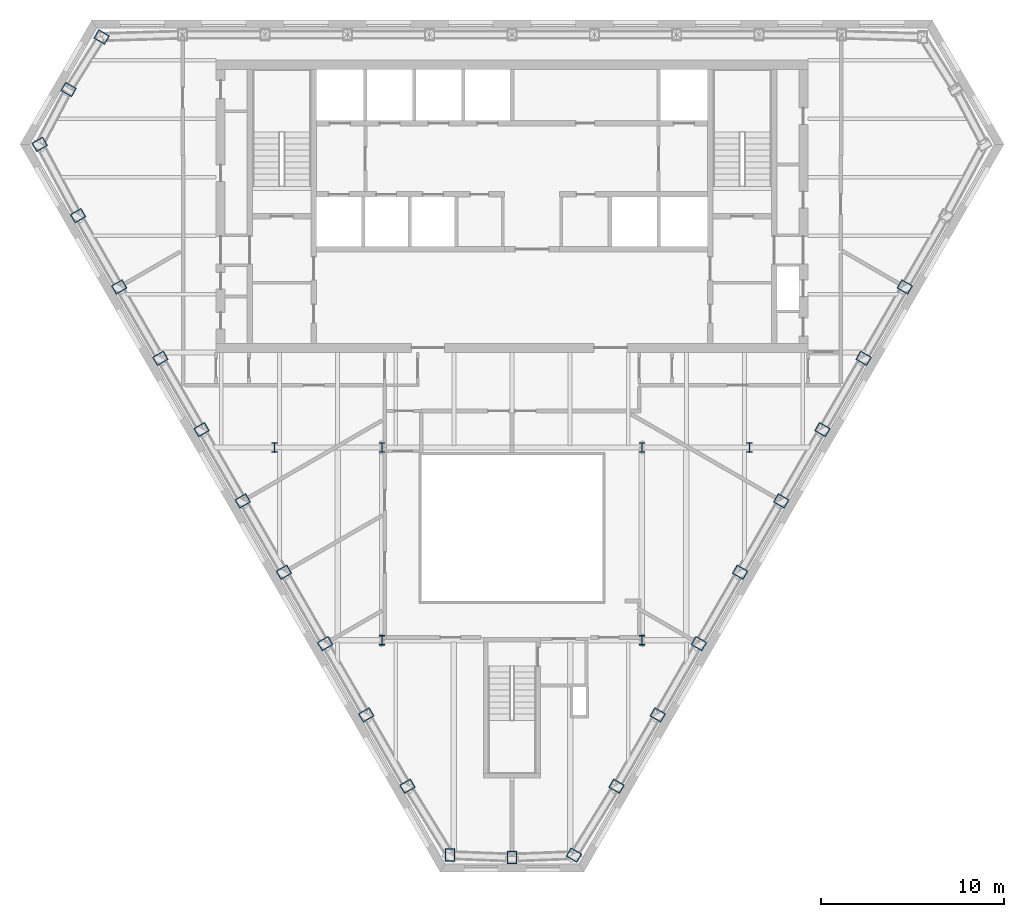
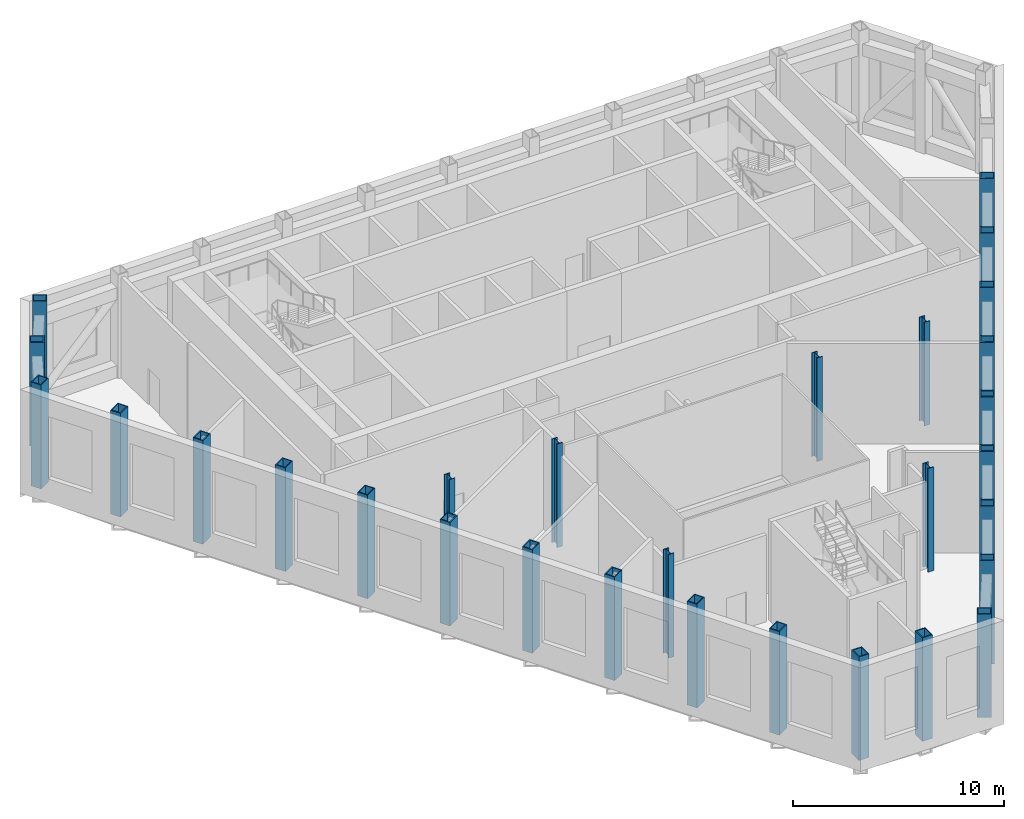
# One storey, part 1 of 13: 29 columns.
"""IFC4 building model written with IfcOpenShell, lengths in metres."""

import ifcopenshell
import ifcopenshell.guid

model = None  # the IFC model being written
_history = None  # IfcOwnerHistory: only IFC2X3 demands one
_inside = {}  # id of a spatial element -> (the spatial element, [elements in it])
_under = {}  # id of a project, library or spatial element -> (it, [spatial elements below it])
_declared = {}  # id of a project -> (the project, [libraries it declares])
_typed = {}  # id of a type object -> (the type object, [elements of that type])
_made_of = {}  # id of a material, layer set ... -> (it, [elements and type objects made of it])


def new_model(schema):
    """Start an empty IFC model of exactly this schema.

    Asked for "IFC4X3", IfcOpenShell would pick the latest addendum, in which some entities
    have other attributes; the version numbers below select the first issue.
    IFC2X3 requires an IfcOwnerHistory on every rooted entity: one is made here for all.
    """
    global model, _history
    if schema == "IFC4X3":
        model = ifcopenshell.file(schema_version=(4, 3, 0, 0))
    else:
        model = ifcopenshell.file(schema=schema)
    _inside.clear()
    _under.clear()
    _declared.clear()
    _typed.clear()
    _made_of.clear()
    _history = None
    if model.schema == "IFC2X3":
        org = make("IfcOrganization", Name="unknown")
        user = make(
            "IfcPersonAndOrganization",
            ThePerson=make("IfcPerson", FamilyName="unknown"),
            TheOrganization=org,
        )
        app = make(
            "IfcApplication",
            ApplicationDeveloper=org,
            Version="unknown",
            ApplicationFullName="unknown",
            ApplicationIdentifier="unknown",
        )
        _history = make(
            "IfcOwnerHistory",
            OwningUser=user,
            OwningApplication=app,
            ChangeAction="ADDED",
            CreationDate=0,
        )
    return model


def make(cls, **values):
    """One entity of the class cls with the attributes given. An attribute that is None is left unset."""
    return model.create_entity(
        cls, **{name: value for name, value in values.items() if value is not None}
    )


def rooted(cls, **values):
    """An entity with a GlobalId (a new one), such as an element, a storey or a relation."""
    return make(cls, GlobalId=ifcopenshell.guid.new(), OwnerHistory=_history, **values)


def si_unit(unit_type, name, prefix=None):
    """IfcSIUnit, for example si_unit("LENGTHUNIT", "METRE", prefix="MILLI")."""
    return make("IfcSIUnit", UnitType=unit_type, Prefix=prefix, Name=name)


def assignment(units):
    """IfcUnitAssignment: the units of a project."""
    return None if units is None else make("IfcUnitAssignment", Units=units)


def point(xyz):
    """IfcCartesianPoint."""
    return None if xyz is None else make("IfcCartesianPoint", Coordinates=xyz)


def direction(xyz):
    """IfcDirection."""
    return None if xyz is None else make("IfcDirection", DirectionRatios=xyz)


def frame(location, z_axis=None, x_axis=None):
    """IfcAxis2Placement3D, a coordinate frame: its origin and axes. An axis left out is left unset."""
    return make(
        "IfcAxis2Placement3D",
        Location=point(location),
        Axis=direction(z_axis),
        RefDirection=direction(x_axis),
    )


def frame_2d(location, x_axis=None):
    """IfcAxis2Placement2D, a coordinate frame in the plane: its origin and x axis."""
    return make(
        "IfcAxis2Placement2D", Location=point(location), RefDirection=direction(x_axis)
    )


def origin():
    """The frame at (0, 0, 0) with its axes left unset."""
    return frame((0.0, 0.0, 0.0))


def origin_2d():
    """The frame at (0, 0) in the plane with its x axis left unset."""
    return frame_2d((0.0, 0.0))


def place(relative_to, where):
    """IfcLocalPlacement: puts the frame where relative to a parent placement (None: the world)."""
    return make(
        "IfcLocalPlacement", PlacementRelTo=relative_to, RelativePlacement=where
    )


def context(
    kind, dimensions, precision=None, world=None, true_north=None, identifier=None
):
    """IfcGeometricRepresentationContext, for example the 3D "Model" context."""
    return make(
        "IfcGeometricRepresentationContext",
        ContextIdentifier=identifier,
        ContextType=kind,
        CoordinateSpaceDimension=dimensions,
        Precision=precision,
        WorldCoordinateSystem=world,
        TrueNorth=true_north,
    )


def subcontext(parent, identifier, kind, view, scale=None):
    """IfcGeometricRepresentationSubContext, for example "Body" below "Model"."""
    return make(
        "IfcGeometricRepresentationSubContext",
        ContextIdentifier=identifier,
        ContextType=kind,
        ParentContext=parent,
        TargetScale=scale,
        TargetView=view,
    )


def project(units=None, contexts=None):
    """IfcProject with its units and contexts."""
    return rooted(
        "IfcProject",
        Name="project",
        RepresentationContexts=contexts,
        UnitsInContext=assignment(units),
    )


def spatial(cls, under=None, at=None, **own):
    """A site, building, storey or space (cls), placed at a placement, below another one or the project."""
    s = rooted(cls, ObjectPlacement=at, **own)
    if under is not None:
        _under.setdefault(under.id(), (under, []))[1].append(s)
    return s


def profile(cls, at=None, kind="AREA", **sizes):
    """A parametric profile (cls). Its sizes go by their IFC names, for example OverallWidth=200.0."""
    return make(cls, ProfileType=kind, Position=at, **sizes)


def hollow_rectangle(**sizes):
    """IfcRectangleHollowProfileDef."""
    return profile("IfcRectangleHollowProfileDef", **sizes)


def i_section(**sizes):
    """IfcIShapeProfileDef."""
    return profile("IfcIShapeProfileDef", **sizes)


def extrude(swept, where, along, depth):
    """IfcExtrudedAreaSolid: the profile swept, set in the frame where, extruded along a direction by depth."""
    return make(
        "IfcExtrudedAreaSolid",
        SweptArea=swept,
        Position=where,
        ExtrudedDirection=direction(along),
        Depth=depth,
    )


def shape(context_of_items, identifier, shape_type, items):
    """IfcShapeRepresentation: the items that make up one representation, for example the "Body"."""
    return make(
        "IfcShapeRepresentation",
        ContextOfItems=context_of_items,
        RepresentationIdentifier=identifier,
        RepresentationType=shape_type,
        Items=items,
    )


def material(Name=None, Category=None):
    """IfcMaterial."""
    return make("IfcMaterial", Name=Name, Category=Category)


def material_profile(
    of_material, cross_section, Name=None, Category=None, Priority=None
):
    """IfcMaterialProfile: a cross section and its material."""
    return make(
        "IfcMaterialProfile",
        Name=Name,
        Material=of_material,
        Profile=cross_section,
        Priority=Priority,
        Category=Category,
    )


def profile_set(profiles, Name=None, composite=None):
    """IfcMaterialProfileSet."""
    return make(
        "IfcMaterialProfileSet",
        Name=Name,
        MaterialProfiles=profiles,
        CompositeProfile=composite,
    )


def made_of(thing, what):
    """Note that an element or type object is made of a material, layer set ...; save() writes the relation."""
    if what is not None:
        _made_of.setdefault(what.id(), (what, []))[1].append(thing)
    return thing


def type_object(cls, material=None, **own):
    """A type object (cls), such as IfcWallType, which elements share."""
    return made_of(rooted(cls, **own), material)


def element(
    cls,
    number,
    at=None,
    inside=None,
    cuts=None,
    type_object=None,
    material=None,
    context=None,
    identifier="Body",
    shape_type=None,
    held_by="IfcProductDefinitionShape",
    body=None,
    shapes=None,
    **own,
):
    """One element of the class cls, such as IfcWall. Its Tag is "e" and its number.

    at: its placement. inside: the storey or other place that contains it. cuts: it is an
    opening in that element (IfcRelVoidsElement). A single representation is given by context,
    identifier, shape_type and body (its items); several are given by shapes. held_by: the class
    of the entity that holds the representations. save() writes the other relations.
    """
    e = rooted(cls, Tag="e%d" % number, ObjectPlacement=at, **own)
    if body is not None:
        shapes = [shape(context, identifier, shape_type, body)]
    if shapes is not None:
        e.Representation = make(held_by, Representations=shapes)
    if inside is not None:
        _inside.setdefault(inside.id(), (inside, []))[1].append(e)
    if cuts is not None:
        rooted(
            "IfcRelVoidsElement", RelatingBuildingElement=cuts, RelatedOpeningElement=e
        )
    if type_object is not None:
        _typed.setdefault(type_object.id(), (type_object, []))[1].append(e)
    return made_of(e, material)


def aggregate(whole, parts):
    """IfcRelAggregates: a whole, such as a stair, and the parts it consists of."""
    return rooted("IfcRelAggregates", RelatingObject=whole, RelatedObjects=parts)


def save(model, path):
    """Write the relations noted so far, then the file.

    IfcRelAggregates (storeys below a building ...), IfcRelContainedInSpatialStructure (elements
    in a storey), IfcRelDefinesByType, IfcRelAssociatesMaterial and IfcRelDeclares: one each for
    every whole, place, type object, material and project.
    """
    for whole, parts in _under.values():
        aggregate(whole, parts)
    for where, things in _inside.values():
        rooted(
            "IfcRelContainedInSpatialStructure",
            RelatedElements=things,
            RelatingStructure=where,
        )
    for kind, things in _typed.values():
        rooted("IfcRelDefinesByType", RelatedObjects=things, RelatingType=kind)
    for what, things in _made_of.values():
        rooted("IfcRelAssociatesMaterial", RelatedObjects=things, RelatingMaterial=what)
    for by, libraries in _declared.values():
        rooted("IfcRelDeclares", RelatingContext=by, RelatedDefinitions=libraries)
    model.write(path)


model = new_model("IFC4")

# Units and contexts
model_context = context("Model", 3, precision=1e-05, world=origin(), true_north=direction((0.0, 1.0)))
body_context = subcontext(model_context, "Body", "Model", "MODEL_VIEW")
ifc_project = project(units=[si_unit("LENGTHUNIT", "METRE"), si_unit("AREAUNIT", "SQUARE_METRE"), si_unit("VOLUMEUNIT", "CUBIC_METRE"), si_unit("PLANEANGLEUNIT", "RADIAN"), si_unit("MASSUNIT", "GRAM", prefix="KILO")], contexts=[model_context])

# Site, building, storey
site_placement = place(None, origin())
site = spatial("IfcSite", under=ifc_project, at=site_placement, CompositionType="ELEMENT")
building_placement = place(site_placement, origin())
building = spatial("IfcBuilding", under=site, at=building_placement, Name="Njiva Tower", CompositionType="ELEMENT")
storey_placement = place(building_placement, frame((0.0, 0.0, 186.6)))
storey = spatial("IfcBuildingStorey", under=building, at=storey_placement, Name="L41", CompositionType="ELEMENT", Elevation=186.6)

# Columns
ifc_material = material(Name="Steel S355 J2", Category="steel")
ifc_material_profile_1 = material_profile(ifc_material, hollow_rectangle(XDim=0.55, YDim=0.7, WallThickness=0.05, at=origin_2d()), Name="BOX 700x550x50")
ifc_profile_set_1 = profile_set([ifc_material_profile_1], Name="Steel S355 J2")
column_type_1 = type_object("IfcColumnType", Name="C11 Perimeter tube column BOX 700x550x50", PredefinedType="COLUMN", material=ifc_profile_set_1)
for number, where, z_axis, x_axis, name in (
    (1, (-22.461, 19.267, 0.0), (0.0, 0.0, 1.0), (-0.5, -0.866025403784, 0.0), "Perimeter tube column T3-C11"),
    (2, (-24.272, 16.397, 0.0), (0.0, 0.0, 1.0), (-0.5, -0.866025403784, 0.0), "Perimeter tube column T3-C12"),
    (3, (-25.853, 13.393, 0.0), (0.0, 0.0, 1.0), (0.5, -0.866025403784, 0.0), "Perimeter tube column T3-C13"),
    (4, (-23.752, 9.489, 0.0), (0.0, 0.0, 1.0), (0.5, -0.866025403784, 0.0), "Perimeter tube column T3-C14"),
    (5, (-21.499, 5.586, 0.0), (0.0, 0.0, 1.0), (0.5, -0.866025403784, 0.0), "Perimeter tube column T3-C15"),
    (6, (-19.245, 1.682, 0.0), (0.0, 0.0, 1.0), (0.5, -0.866025403784, 0.0), "Perimeter tube column T3-C16"),
    (7, (-16.991, -2.222, 0.0), (0.0, 0.0, 1.0), (0.5, -0.866025403784, 0.0), "Perimeter tube column T3-C17"),
    (8, (-14.737, -6.126, 0.0), (0.0, 0.0, 1.0), (0.5, -0.866025403784, 0.0), "Perimeter tube column T3-C18"),
    (9, (-12.483, -10.029, 0.0), (0.0, 0.0, 1.0), (0.5, -0.866025403784, 0.0), "Perimeter tube column T3-C19"),
    (10, (-10.23, -13.933, 0.0), (0.0, 0.0, 1.0), (0.5, -0.866025403784, 0.0), "Perimeter tube column T3-C20"),
    (11, (-7.976, -17.837, 0.0), (0.0, 0.0, 1.0), (0.5, -0.866025403784, 0.0), "Perimeter tube column T3-C21"),
    (12, (-5.722, -21.74, 0.0), (0.0, 0.0, 1.0), (0.5, -0.866025403784, 0.0), "Perimeter tube column T3-C22"),
    (13, (-3.391, -25.511, 0.0), (0.0, 0.0, 1.0), (1.0, 0.0, 0.0), "Perimeter tube column T3-C23"),
    (14, (0.0, -25.644, 0.0), (0.0, 0.0, 1.0), (1.0, 0.0, 0.0), "Perimeter tube column T3-C24"),
    (15, (3.391, -25.511, 0.0), (0.0, 0.0, 1.0), (0.5, 0.866025403784, 0.0), "Perimeter tube column T3-C25"),
    (16, (5.722, -21.74, 0.0), (0.0, 0.0, 1.0), (0.5, 0.866025403784, 0.0), "Perimeter tube column T3-C26"),
    (17, (7.976, -17.837, 0.0), (0.0, 0.0, 1.0), (0.5, 0.866025403784, 0.0), "Perimeter tube column T3-C27"),
    (18, (10.23, -13.933, 0.0), (0.0, 0.0, 1.0), (0.5, 0.866025403784, 0.0), "Perimeter tube column T3-C28"),
    (19, (12.483, -10.029, 0.0), (0.0, 0.0, 1.0), (0.5, 0.866025403784, 0.0), "Perimeter tube column T3-C29"),
    (20, (14.737, -6.126, 0.0), (0.0, 0.0, 1.0), (0.5, 0.866025403784, 0.0), "Perimeter tube column T3-C30"),
    (21, (16.991, -2.222, 0.0), (0.0, 0.0, 1.0), (0.5, 0.866025403784, 0.0), "Perimeter tube column T3-C31"),
    (22, (19.245, 1.682, 0.0), (0.0, 0.0, 1.0), (0.5, 0.866025403784, 0.0), "Perimeter tube column T3-C32"),
    (23, (21.499, 5.586, 0.0), (0.0, 0.0, 1.0), (0.5, 0.866025403784, 0.0), "Perimeter tube column T3-C33"),
):
    element("IfcColumn", number, at=place(storey_placement, frame(where, z_axis=z_axis, x_axis=x_axis)), inside=storey, type_object=column_type_1, Name=name, PredefinedType="COLUMN", context=body_context, shape_type="SweptSolid", body=[
        extrude(hollow_rectangle(XDim=0.55, YDim=0.7, WallThickness=0.05, at=origin_2d()), origin(), (0.0, 0.0, 1.0), 6.0),
    ])
ifc_material_profile_2 = material_profile(ifc_material, i_section(OverallWidth=0.306, OverallDepth=0.524, WebThickness=0.021, FlangeThickness=0.04, at=origin_2d()), Name="HEM 500")
ifc_profile_set_2 = profile_set([ifc_material_profile_2], Name="Steel S355 J2")
column_type_2 = type_object("IfcColumnType", Name="C12 Interior column HEM 500", PredefinedType="COLUMN", material=ifc_profile_set_2)
for number, where, z_axis, x_axis, name in (
    (24, (7.11, -3.2, 0.0), (0.0, 0.0, 1.0), (1.0, 0.0, 0.0), "Interior column T3-C37"),
    (25, (-7.11, -3.2, 0.0), (0.0, 0.0, 1.0), (1.0, 0.0, 0.0), "Interior column T3-C38"),
    (26, (7.11, -13.75, 0.0), (0.0, 0.0, 1.0), (1.0, 0.0, 0.0), "Interior column T3-C39"),
    (27, (-7.11, -13.75, 0.0), (0.0, 0.0, 1.0), (1.0, 0.0, 0.0), "Interior column T3-C40"),
    (28, (13.0, -3.2, 0.0), (0.0, 0.0, 1.0), (1.0, 0.0, 0.0), "Interior column T3-C41"),
    (29, (-13.0, -3.2, 0.0), (0.0, 0.0, 1.0), (1.0, 0.0, 0.0), "Interior column T3-C42"),
):
    element("IfcColumn", number, at=place(storey_placement, frame(where, z_axis=z_axis, x_axis=x_axis)), inside=storey, type_object=column_type_2, Name=name, PredefinedType="COLUMN", context=body_context, shape_type="SweptSolid", body=[
        extrude(i_section(OverallWidth=0.306, OverallDepth=0.524, WebThickness=0.021, FlangeThickness=0.04, at=origin_2d()), origin(), (0.0, 0.0, 1.0), 6.0),
    ])

save(model, "model.ifc")
